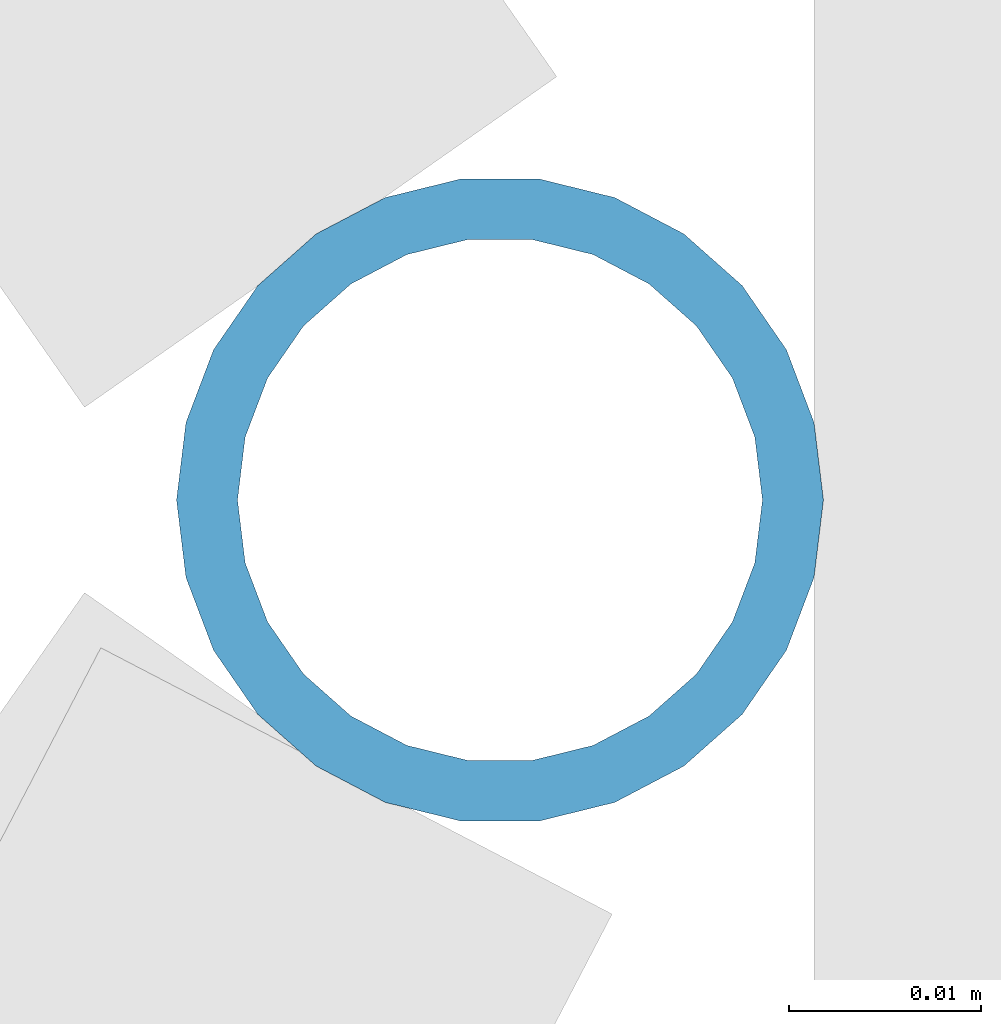
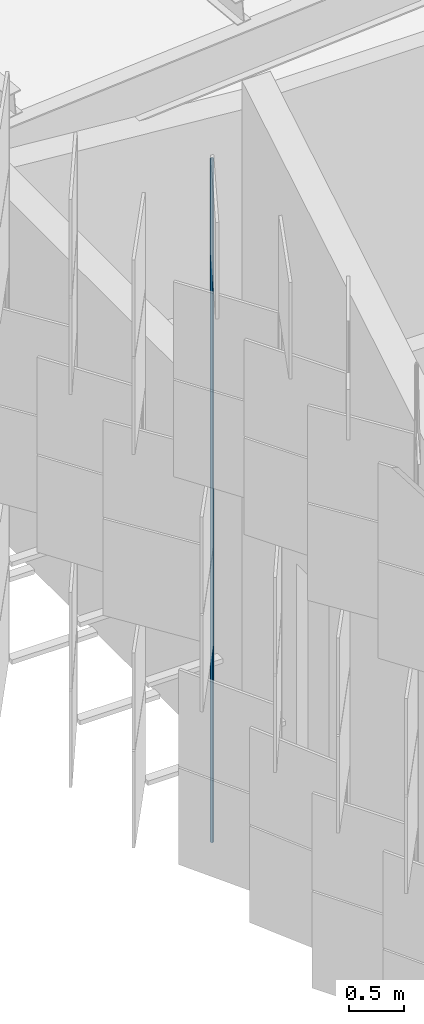
# One storey, part 195 of 483: 1 discrete accessory.
"""IFC4 building model written with IfcOpenShell, lengths in metres."""

from ifc_helpers import new_model, si_unit, direction, frame, origin, origin_2d, place, context, subcontext, project, spatial, hollow_circle, extrude, material, material_profile, profile_set, type_object, element, save


model = new_model("IFC4")

# Units and contexts
model_context = context("Model", 3, precision=1e-05, world=origin(), true_north=direction((0.0, 1.0)))
body_context = subcontext(model_context, "Body", "Model", "MODEL_VIEW")
ifc_project = project(units=[si_unit("LENGTHUNIT", "METRE"), si_unit("AREAUNIT", "SQUARE_METRE"), si_unit("VOLUMEUNIT", "CUBIC_METRE"), si_unit("PLANEANGLEUNIT", "RADIAN"), si_unit("MASSUNIT", "GRAM", prefix="KILO")], contexts=[model_context])

# Site, building, storey
site_placement = place(None, origin())
site = spatial("IfcSite", under=ifc_project, at=site_placement, CompositionType="ELEMENT")
building_placement = place(site_placement, origin())
building = spatial("IfcBuilding", under=site, at=building_placement, Name="Parallax Yard Mobility Hub", CompositionType="ELEMENT")
storey_placement = place(building_placement, frame((0.0, 0.0, 13.199951171875)))
storey = spatial("IfcBuildingStorey", under=building, at=storey_placement, Name="L04", CompositionType="ELEMENT", Elevation=13.199951171875)

# Discrete accessory
ifc_material = material(Name="Steel ASTM A500 Gr C, hot-dip galvanised", Category="steel")
ifc_material_profile = material_profile(ifc_material, hollow_circle(Radius=0.016845703125, WallThickness=0.003173828125, at=origin_2d()), Name="CHS 33.7x3.2")
ifc_profile_set = profile_set([ifc_material_profile], Name="Steel ASTM A500 Gr C, hot-dip galvanised")
discrete_accessory_type = type_object("IfcDiscreteAccessoryType", Name="Hinge post CHS 33.7x3.2", PredefinedType="BRACKET", material=ifc_profile_set)
discrete_accessory_placement = place(storey_placement, frame((194.249755859375, 84.248779296875, 0.0), z_axis=(0.0, 0.0, 1.0), x_axis=(1.0, 0.0, 0.0)))
element("IfcDiscreteAccessory", 1, at=discrete_accessory_placement, inside=storey, type_object=discrete_accessory_type, Name="Hinge post bay 23.6 level L04", PredefinedType="BRACKET", context=body_context, shape_type="SweptSolid", body=[
    extrude(hollow_circle(Radius=0.016845703125, WallThickness=0.003173828125, at=origin_2d()), origin(), (0.0, 0.0, 1.0), 7.650146484375),
])

save(model, "model.ifc")
